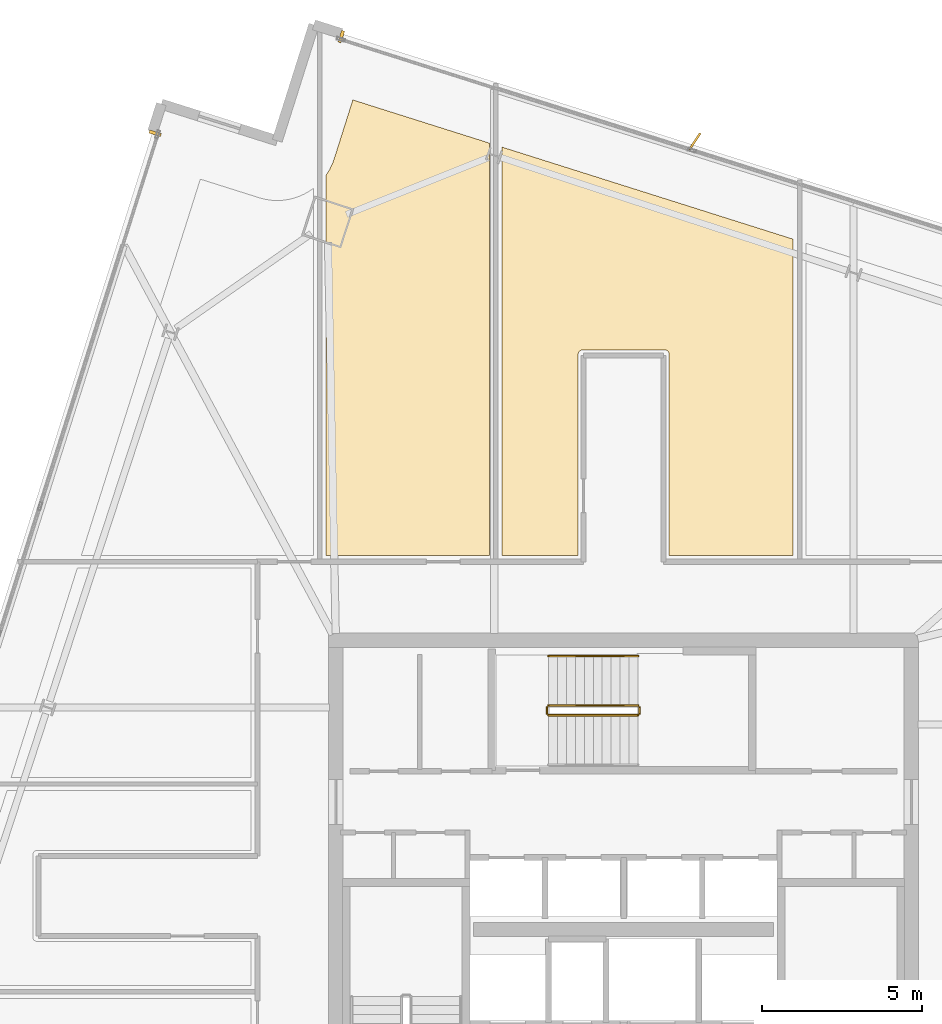
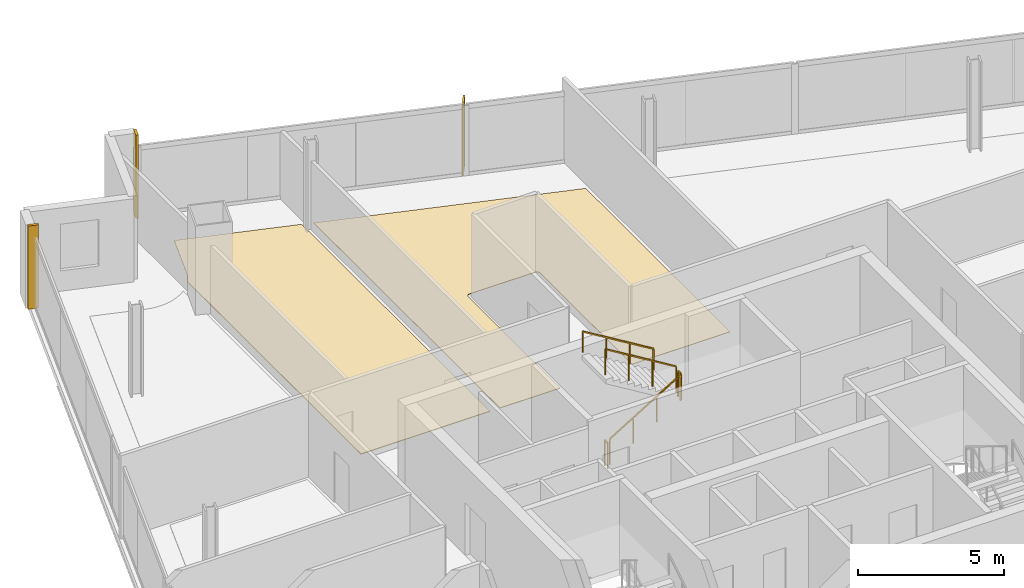
# One storey, part 25 of 26: 5 railings, 4 coverings, 1 shading device.
"""IFC4 building model written with IfcOpenShell, lengths in metres."""

import ifcopenshell
import ifcopenshell.guid

model = None  # the IFC model being written
_history = None  # IfcOwnerHistory: only IFC2X3 demands one
_inside = {}  # id of a spatial element -> (the spatial element, [elements in it])
_under = {}  # id of a project, library or spatial element -> (it, [spatial elements below it])
_declared = {}  # id of a project -> (the project, [libraries it declares])
_typed = {}  # id of a type object -> (the type object, [elements of that type])
_made_of = {}  # id of a material, layer set ... -> (it, [elements and type objects made of it])


def new_model(schema):
    """Start an empty IFC model of exactly this schema.

    Asked for "IFC4X3", IfcOpenShell would pick the latest addendum, in which some entities
    have other attributes; the version numbers below select the first issue.
    IFC2X3 requires an IfcOwnerHistory on every rooted entity: one is made here for all.
    """
    global model, _history
    if schema == "IFC4X3":
        model = ifcopenshell.file(schema_version=(4, 3, 0, 0))
    else:
        model = ifcopenshell.file(schema=schema)
    _inside.clear()
    _under.clear()
    _declared.clear()
    _typed.clear()
    _made_of.clear()
    _history = None
    if model.schema == "IFC2X3":
        org = make("IfcOrganization", Name="unknown")
        user = make(
            "IfcPersonAndOrganization",
            ThePerson=make("IfcPerson", FamilyName="unknown"),
            TheOrganization=org,
        )
        app = make(
            "IfcApplication",
            ApplicationDeveloper=org,
            Version="unknown",
            ApplicationFullName="unknown",
            ApplicationIdentifier="unknown",
        )
        _history = make(
            "IfcOwnerHistory",
            OwningUser=user,
            OwningApplication=app,
            ChangeAction="ADDED",
            CreationDate=0,
        )
    return model


def make(cls, **values):
    """One entity of the class cls with the attributes given. An attribute that is None is left unset."""
    return model.create_entity(
        cls, **{name: value for name, value in values.items() if value is not None}
    )


def rooted(cls, **values):
    """An entity with a GlobalId (a new one), such as an element, a storey or a relation."""
    return make(cls, GlobalId=ifcopenshell.guid.new(), OwnerHistory=_history, **values)


def si_unit(unit_type, name, prefix=None):
    """IfcSIUnit, for example si_unit("LENGTHUNIT", "METRE", prefix="MILLI")."""
    return make("IfcSIUnit", UnitType=unit_type, Prefix=prefix, Name=name)


def assignment(units):
    """IfcUnitAssignment: the units of a project."""
    return None if units is None else make("IfcUnitAssignment", Units=units)


def point(xyz):
    """IfcCartesianPoint."""
    return None if xyz is None else make("IfcCartesianPoint", Coordinates=xyz)


def direction(xyz):
    """IfcDirection."""
    return None if xyz is None else make("IfcDirection", DirectionRatios=xyz)


def frame(location, z_axis=None, x_axis=None):
    """IfcAxis2Placement3D, a coordinate frame: its origin and axes. An axis left out is left unset."""
    return make(
        "IfcAxis2Placement3D",
        Location=point(location),
        Axis=direction(z_axis),
        RefDirection=direction(x_axis),
    )


def frame_2d(location, x_axis=None):
    """IfcAxis2Placement2D, a coordinate frame in the plane: its origin and x axis."""
    return make(
        "IfcAxis2Placement2D", Location=point(location), RefDirection=direction(x_axis)
    )


def origin():
    """The frame at (0, 0, 0) with its axes left unset."""
    return frame((0.0, 0.0, 0.0))


def origin_2d():
    """The frame at (0, 0) in the plane with its x axis left unset."""
    return frame_2d((0.0, 0.0))


def place(relative_to, where):
    """IfcLocalPlacement: puts the frame where relative to a parent placement (None: the world)."""
    return make(
        "IfcLocalPlacement", PlacementRelTo=relative_to, RelativePlacement=where
    )


def context(
    kind, dimensions, precision=None, world=None, true_north=None, identifier=None
):
    """IfcGeometricRepresentationContext, for example the 3D "Model" context."""
    return make(
        "IfcGeometricRepresentationContext",
        ContextIdentifier=identifier,
        ContextType=kind,
        CoordinateSpaceDimension=dimensions,
        Precision=precision,
        WorldCoordinateSystem=world,
        TrueNorth=true_north,
    )


def subcontext(parent, identifier, kind, view, scale=None):
    """IfcGeometricRepresentationSubContext, for example "Body" below "Model"."""
    return make(
        "IfcGeometricRepresentationSubContext",
        ContextIdentifier=identifier,
        ContextType=kind,
        ParentContext=parent,
        TargetScale=scale,
        TargetView=view,
    )


def project(units=None, contexts=None):
    """IfcProject with its units and contexts."""
    return rooted(
        "IfcProject",
        Name="project",
        RepresentationContexts=contexts,
        UnitsInContext=assignment(units),
    )


def spatial(cls, under=None, at=None, **own):
    """A site, building, storey or space (cls), placed at a placement, below another one or the project."""
    s = rooted(cls, ObjectPlacement=at, **own)
    if under is not None:
        _under.setdefault(under.id(), (under, []))[1].append(s)
    return s


def polyline(points):
    """IfcPolyline through the points."""
    return make("IfcPolyline", Points=[point(p) for p in points])


def profile(cls, at=None, kind="AREA", **sizes):
    """A parametric profile (cls). Its sizes go by their IFC names, for example OverallWidth=200.0."""
    return make(cls, ProfileType=kind, Position=at, **sizes)


def rectangle(**sizes):
    """IfcRectangleProfileDef."""
    return profile("IfcRectangleProfileDef", **sizes)


def outline(outer, holes=None, kind="AREA"):
    """IfcArbitraryClosedProfileDef: a profile drawn as a closed curve; with holes, ...WithVoids."""
    if holes is None:
        return make("IfcArbitraryClosedProfileDef", ProfileType=kind, OuterCurve=outer)
    return make(
        "IfcArbitraryProfileDefWithVoids",
        ProfileType=kind,
        OuterCurve=outer,
        InnerCurves=holes,
    )


def extrude(swept, where, along, depth):
    """IfcExtrudedAreaSolid: the profile swept, set in the frame where, extruded along a direction by depth."""
    return make(
        "IfcExtrudedAreaSolid",
        SweptArea=swept,
        Position=where,
        ExtrudedDirection=direction(along),
        Depth=depth,
    )


def shape(context_of_items, identifier, shape_type, items):
    """IfcShapeRepresentation: the items that make up one representation, for example the "Body"."""
    return make(
        "IfcShapeRepresentation",
        ContextOfItems=context_of_items,
        RepresentationIdentifier=identifier,
        RepresentationType=shape_type,
        Items=items,
    )


def source(mapping_origin, context_of_items, identifier, shape_type, items):
    """IfcRepresentationMap: a shape defined once, which mapped items show again and again."""
    return make(
        "IfcRepresentationMap",
        MappingOrigin=mapping_origin,
        MappedRepresentation=shape(context_of_items, identifier, shape_type, items),
    )


def transform(
    local_origin,
    x_axis=None,
    y_axis=None,
    z_axis=None,
    scale=None,
    scale2=None,
    scale3=None,
    uniform=True,
):
    """IfcCartesianTransformationOperator3D, or its non-uniform kind. x_axis, y_axis, z_axis: its Axis1, 2, 3."""
    if uniform:
        return make(
            "IfcCartesianTransformationOperator3D",
            Axis1=direction(x_axis),
            Axis2=direction(y_axis),
            LocalOrigin=point(local_origin),
            Scale=scale,
            Axis3=direction(z_axis),
        )
    return make(
        "IfcCartesianTransformationOperator3DnonUniform",
        Axis1=direction(x_axis),
        Axis2=direction(y_axis),
        LocalOrigin=point(local_origin),
        Scale=scale,
        Axis3=direction(z_axis),
        Scale2=scale2,
        Scale3=scale3,
    )


def mapped(mapping_source, mapping_target):
    """IfcMappedItem: shows the shape of a source again, moved by a transform."""
    return make(
        "IfcMappedItem", MappingSource=mapping_source, MappingTarget=mapping_target
    )


def material(Name=None, Category=None):
    """IfcMaterial."""
    return make("IfcMaterial", Name=Name, Category=Category)


def layer(
    of_material, thickness, ventilated=None, Name=None, Category=None, Priority=None
):
    """IfcMaterialLayer: one layer of a wall or slab, of a material (None: an air gap)."""
    return make(
        "IfcMaterialLayer",
        Material=of_material,
        LayerThickness=thickness,
        IsVentilated=ventilated,
        Name=Name,
        Category=Category,
        Priority=Priority,
    )


def layer_set(layers, Name=None):
    """IfcMaterialLayerSet."""
    return make("IfcMaterialLayerSet", MaterialLayers=layers, LayerSetName=Name)


def made_of(thing, what):
    """Note that an element or type object is made of a material, layer set ...; save() writes the relation."""
    if what is not None:
        _made_of.setdefault(what.id(), (what, []))[1].append(thing)
    return thing


def type_object(cls, material=None, **own):
    """A type object (cls), such as IfcWallType, which elements share."""
    return made_of(rooted(cls, **own), material)


def element(
    cls,
    number,
    at=None,
    inside=None,
    cuts=None,
    type_object=None,
    material=None,
    context=None,
    identifier="Body",
    shape_type=None,
    held_by="IfcProductDefinitionShape",
    body=None,
    shapes=None,
    **own,
):
    """One element of the class cls, such as IfcWall. Its Tag is "e" and its number.

    at: its placement. inside: the storey or other place that contains it. cuts: it is an
    opening in that element (IfcRelVoidsElement). A single representation is given by context,
    identifier, shape_type and body (its items); several are given by shapes. held_by: the class
    of the entity that holds the representations. save() writes the other relations.
    """
    e = rooted(cls, Tag="e%d" % number, ObjectPlacement=at, **own)
    if body is not None:
        shapes = [shape(context, identifier, shape_type, body)]
    if shapes is not None:
        e.Representation = make(held_by, Representations=shapes)
    if inside is not None:
        _inside.setdefault(inside.id(), (inside, []))[1].append(e)
    if cuts is not None:
        rooted(
            "IfcRelVoidsElement", RelatingBuildingElement=cuts, RelatedOpeningElement=e
        )
    if type_object is not None:
        _typed.setdefault(type_object.id(), (type_object, []))[1].append(e)
    return made_of(e, material)


def aggregate(whole, parts):
    """IfcRelAggregates: a whole, such as a stair, and the parts it consists of."""
    return rooted("IfcRelAggregates", RelatingObject=whole, RelatedObjects=parts)


def save(model, path):
    """Write the relations noted so far, then the file.

    IfcRelAggregates (storeys below a building ...), IfcRelContainedInSpatialStructure (elements
    in a storey), IfcRelDefinesByType, IfcRelAssociatesMaterial and IfcRelDeclares: one each for
    every whole, place, type object, material and project.
    """
    for whole, parts in _under.values():
        aggregate(whole, parts)
    for where, things in _inside.values():
        rooted(
            "IfcRelContainedInSpatialStructure",
            RelatedElements=things,
            RelatingStructure=where,
        )
    for kind, things in _typed.values():
        rooted("IfcRelDefinesByType", RelatedObjects=things, RelatingType=kind)
    for what, things in _made_of.values():
        rooted("IfcRelAssociatesMaterial", RelatedObjects=things, RelatingMaterial=what)
    for by, libraries in _declared.values():
        rooted("IfcRelDeclares", RelatingContext=by, RelatedDefinitions=libraries)
    model.write(path)


model = new_model("IFC4")

# Units and contexts
model_context = context("Model", 3, precision=1e-05, world=origin(), true_north=direction((0.0, 1.0)))
body_context = subcontext(model_context, "Body", "Model", "MODEL_VIEW")
ifc_project = project(units=[si_unit("LENGTHUNIT", "METRE"), si_unit("AREAUNIT", "SQUARE_METRE"), si_unit("VOLUMEUNIT", "CUBIC_METRE"), si_unit("PLANEANGLEUNIT", "RADIAN"), si_unit("MASSUNIT", "GRAM", prefix="KILO")], contexts=[model_context])

# Site, building, storey
site_placement = place(None, origin())
site = spatial("IfcSite", under=ifc_project, at=site_placement, CompositionType="ELEMENT")
building_placement = place(site_placement, origin())
building = spatial("IfcBuilding", under=site, at=building_placement, Name="Haldenkirk Collegiate Tower", CompositionType="ELEMENT")
storey_placement = place(building_placement, frame((0.0, 0.0, 271.199951171875)))
storey = spatial("IfcBuildingStorey", under=building, at=storey_placement, Name="L68", CompositionType="ELEMENT", Elevation=271.199951171875)

# Coverings
ifc_material_1 = material(Name="Polished collegiate terrazzo", Category="concrete")
ifc_layer_1 = layer(ifc_material_1, 0.02490234375)
ifc_layer_set_1 = layer_set([ifc_layer_1], Name="Polished collegiate terrazzo")
covering_type_1 = type_object("IfcCoveringType", Name="COV-FLOOR-TERRAZZO", PredefinedType="FLOORING", material=ifc_layer_set_1)
covering_1_placement = place(storey_placement, origin())
element("IfcCovering", 1, at=covering_1_placement, inside=storey, type_object=covering_type_1, Name="L68 academic room finish 04", PredefinedType="FLOORING", context=body_context, shape_type="SweptSolid", body=[
    extrude(outline(polyline([(26.705810546875, 48.553955078125), (26.71240234375, 48.563720703125), (26.802490234375, 48.709716796875), (26.80810546875, 48.72021484375), (26.883544921875, 48.87451171875), (26.88818359375, 48.885498046875), (26.94775390625, 49.04638671875), (26.94970703125, 49.052001953125), (27.53173828125, 50.89208984375), (31.800048828125, 49.542236328125), (31.800048828125, 36.64990234375), (26.699951171875, 36.64990234375), (26.699951171875, 48.546142578125), (26.705810546875, 48.553955078125)])), origin(), (0.0, 0.0, 1.0), 0.025146484375),
])
ifc_material_2 = material(Name="Engineered collegiate oak acoustic flooring", Category="wood")
ifc_layer_2 = layer(ifc_material_2, 0.02197265625)
ifc_layer_set_2 = layer_set([ifc_layer_2], Name="Engineered collegiate oak acoustic flooring")
covering_type_2 = type_object("IfcCoveringType", Name="COV-FLOOR-TIMBER", PredefinedType="FLOORING", material=ifc_layer_set_2)
covering_2_placement = place(storey_placement, origin())
element("IfcCovering", 2, at=covering_2_placement, inside=storey, type_object=covering_type_2, Name="L68 academic room finish 05", PredefinedType="FLOORING", context=body_context, shape_type="SweptSolid", body=[
    extrude(outline(polyline([(41.300048828125, 46.537841796875), (41.300048828125, 36.64990234375), (37.419921875, 36.64990234375), (37.419921875, 42.949951171875), (37.41943359375, 42.9619140625), (37.417724609375, 42.973388671875), (37.414794921875, 42.98486328125), (37.410888671875, 42.995849609375), (37.40576171875, 43.006591796875), (37.39990234375, 43.0166015625), (37.392822265625, 43.026123046875), (37.385009765625, 43.034912109375), (37.376220703125, 43.042724609375), (37.36669921875, 43.0498046875), (37.356689453125, 43.055908203125), (37.345947265625, 43.060791015625), (37.334716796875, 43.064697265625), (37.323486328125, 43.067626953125), (37.311767578125, 43.0693359375), (37.300048828125, 43.070068359375), (34.699951171875, 43.070068359375), (34.688232421875, 43.0693359375), (34.676513671875, 43.067626953125), (34.665283203125, 43.064697265625), (34.654052734375, 43.060791015625), (34.643310546875, 43.055908203125), (34.63330078125, 43.0498046875), (34.623779296875, 43.042724609375), (34.614990234375, 43.034912109375), (34.607177734375, 43.026123046875), (34.60009765625, 43.0166015625), (34.59423828125, 43.006591796875), (34.589111328125, 42.995849609375), (34.585205078125, 42.98486328125), (34.582275390625, 42.973388671875), (34.58056640625, 42.9619140625), (34.580078125, 42.949951171875), (34.580078125, 36.64990234375), (32.199951171875, 36.64990234375), (32.199951171875, 49.415771484375), (41.300048828125, 46.537841796875)])), origin(), (0.0, 0.0, 1.0), 0.02197265625),
])

# Railings
ifc_material_3 = material(Name="Painted architectural tubular steel", Category="steel")
railing_type_1 = type_object("IfcRailingType", Name="RLG-STAIR-GUARD-1100", PredefinedType="BALUSTRADE", material=ifc_material_3)
railing_1_placement = place(storey_placement, frame((33.64990234375, 31.64990234375, 0.17041015625)))
element("IfcRailing", 3, at=railing_1_placement, inside=storey, type_object=railing_type_1, Name="L68 ST-3 stair guard 1", PredefinedType="BALUSTRADE", context=body_context, shape_type="SweptSolid", body=[
    extrude(rectangle(XDim=0.048095703125, YDim=0.048095703125, at=origin_2d()), frame((0.0, 0.0, 1.076171875), z_axis=(0.854169791009, 0.0, 0.51999420009), x_axis=(0.0, 1.0, 0.0)), (0.0, 0.0, 1.0), 3.278076171875),
    extrude(rectangle(XDim=0.0419921875, YDim=0.0419921875, at=origin_2d()), origin(), (0.0, 0.0, 1.0), 1.052001953125),
    extrude(rectangle(XDim=0.0419921875, YDim=0.0419921875, at=origin_2d()), frame((0.933349609375, 0.0, 0.568115234375)), (0.0, 0.0, 1.0), 1.052001953125),
    extrude(rectangle(XDim=0.0419921875, YDim=0.0419921875, at=origin_2d()), frame((1.86669921875, 0.0, 1.136474609375)), (0.0, 0.0, 1.0), 1.052001953125),
    extrude(rectangle(XDim=0.0419921875, YDim=0.0419921875, at=origin_2d()), frame((2.800048828125, 0.0, 1.70458984375)), (0.0, 0.0, 1.0), 1.052001953125),
])
railing_2_placement = place(storey_placement, frame((36.5, 31.699951171875, 1.875)))
element("IfcRailing", 4, at=railing_2_placement, inside=storey, type_object=railing_type_1, Name="L68 ST-3 stair guard 2", PredefinedType="BALUSTRADE", context=body_context, shape_type="SweptSolid", body=[
    extrude(rectangle(XDim=0.048095703125, YDim=0.048095703125, at=origin_2d()), frame((0.0, 0.0, 1.076171875), z_axis=(0.0, 1.0, 0.0), x_axis=(-1.0, 0.0, 0.0)), (0.0, 0.0, 1.0), 0.199951171875),
    extrude(rectangle(XDim=0.0419921875, YDim=0.0419921875, at=origin_2d()), origin(), (0.0, 0.0, 1.0), 1.052001953125),
    extrude(rectangle(XDim=0.0419921875, YDim=0.0419921875, at=origin_2d()), frame((0.0, 0.199951171875, 0.0)), (0.0, 0.0, 1.0), 1.052001953125),
])
railing_3_placement = place(storey_placement, frame((36.449951171875, 31.949951171875, 2.04541015625)))
element("IfcRailing", 5, at=railing_3_placement, inside=storey, type_object=railing_type_1, Name="L68 ST-3 stair guard 3", PredefinedType="BALUSTRADE", context=body_context, shape_type="SweptSolid", body=[
    extrude(rectangle(XDim=0.048095703125, YDim=0.048095703125, at=origin_2d()), frame((0.0, 0.0, 1.076171875), z_axis=(-0.854169791009, 0.0, 0.51999420009), x_axis=(0.0, -1.0, 0.0)), (0.0, 0.0, 1.0), 3.278076171875),
    extrude(rectangle(XDim=0.0419921875, YDim=0.0419921875, at=origin_2d()), origin(), (0.0, 0.0, 1.0), 1.052001953125),
    extrude(rectangle(XDim=0.0419921875, YDim=0.0419921875, at=origin_2d()), frame((-0.933349609375, 0.0, 0.568115234375)), (0.0, 0.0, 1.0), 1.052001953125),
    extrude(rectangle(XDim=0.0419921875, YDim=0.0419921875, at=origin_2d()), frame((-1.86669921875, 0.0, 1.136474609375)), (0.0, 0.0, 1.0), 1.052001953125),
    extrude(rectangle(XDim=0.0419921875, YDim=0.0419921875, at=origin_2d()), frame((-2.800048828125, 0.0, 1.70458984375)), (0.0, 0.0, 1.0), 1.052001953125),
])
railing_4_placement = place(storey_placement, frame((33.60009765625, 31.699951171875, 0.0)))
element("IfcRailing", 6, at=railing_4_placement, inside=storey, type_object=railing_type_1, Name="L68 ST-3 stair guard 4", PredefinedType="BALUSTRADE", context=body_context, shape_type="SweptSolid", body=[
    extrude(rectangle(XDim=0.048095703125, YDim=0.048095703125, at=origin_2d()), frame((0.0, 0.0, 1.076171875), z_axis=(0.0, 1.0, 0.0), x_axis=(-1.0, 0.0, 0.0)), (0.0, 0.0, 1.0), 0.199951171875),
    extrude(rectangle(XDim=0.0419921875, YDim=0.0419921875, at=origin_2d()), origin(), (0.0, 0.0, 1.0), 1.052001953125),
    extrude(rectangle(XDim=0.0419921875, YDim=0.0419921875, at=origin_2d()), frame((0.0, 0.199951171875, 0.0)), (0.0, 0.0, 1.0), 1.052001953125),
])
railing_type_2 = type_object("IfcRailingType", Name="RLG-STAIR-HANDRAIL-900", PredefinedType="HANDRAIL", material=ifc_material_3)
railing_5_placement = place(storey_placement, frame((36.449951171875, 33.5, 2.04541015625)))
element("IfcRailing", 7, at=railing_5_placement, inside=storey, type_object=railing_type_2, Name="L68 ST-3 stair handrail 2", PredefinedType="HANDRAIL", context=body_context, shape_type="SweptSolid", body=[
    extrude(rectangle(XDim=0.048095703125, YDim=0.048095703125, at=origin_2d()), frame((0.0, 0.0, 0.8759765625), z_axis=(-0.854169791009, 0.0, 0.51999420009), x_axis=(0.0, -1.0, 0.0)), (0.0, 0.0, 1.0), 3.278076171875),
    extrude(rectangle(XDim=0.0419921875, YDim=0.0419921875, at=origin_2d()), origin(), (0.0, 0.0, 1.0), 0.851806640625),
    extrude(rectangle(XDim=0.0419921875, YDim=0.0419921875, at=origin_2d()), frame((-0.933349609375, 0.0, 0.568115234375)), (0.0, 0.0, 1.0), 0.851806640625),
    extrude(rectangle(XDim=0.0419921875, YDim=0.0419921875, at=origin_2d()), frame((-1.86669921875, 0.0, 1.136474609375)), (0.0, 0.0, 1.0), 0.851806640625),
    extrude(rectangle(XDim=0.0419921875, YDim=0.0419921875, at=origin_2d()), frame((-2.800048828125, 0.0, 1.70458984375)), (0.0, 0.0, 1.0), 0.851806640625),
])

# Coverings
ifc_material_4 = material(Name="Anodised architectural bronze aluminium", Category="aluminium")
ifc_layer_3 = layer(ifc_material_4, 0.06005859375)
ifc_layer_set_3 = layer_set([ifc_layer_3], Name="Anodised architectural bronze aluminium")
covering_type_3 = type_object("IfcCoveringType", Name="COV-CLAD-BRONZE-60", PredefinedType="CLADDING", material=ifc_layer_set_3)
shared_shape_1 = source(origin(), body_context, "Body", "SweptSolid", [
    extrude(rectangle(XDim=0.10009765625, YDim=0.3798828125, at=origin_2d()), origin(), (0.0, 0.0, 1.0), 3.47998046875),
])
for number, where, z_axis, x_axis, name in (
    (8, (27.17236328125, 52.872802734375, 0.0), (0.0, 0.0, 1.0), (0.953454172319, -0.301537959944, 0.0), "L68 recessed curtain-wall bronze jamb closure EJL"),
    (9, (21.34912109375, 49.847900390625, 0.0), (0.0, 0.0, 1.0), (0.301537959944, 0.953454172319, 0.0), "L68 recessed curtain-wall bronze jamb closure NJR"),
):
    element("IfcCovering", number, at=place(storey_placement, frame(where, z_axis=z_axis, x_axis=x_axis)), inside=storey, type_object=covering_type_3, Name=name, PredefinedType="CLADDING", context=body_context, shape_type="MappedRepresentation", body=[
        mapped(shared_shape_1, transform((0.0, 0.0, 0.0), x_axis=(1.0, 0.0, 0.0), y_axis=(0.0, 1.0, 0.0), z_axis=(0.0, 0.0, 1.0), scale=1.0)),
    ])

# Shading device
ifc_layer_4 = layer(ifc_material_4, 0.06494140625)
ifc_layer_set_4 = layer_set([ifc_layer_4], Name="Anodised architectural bronze aluminium")
shading_device_type = type_object("IfcShadingDeviceType", Name="SHD-FIN-BRONZE-620", PredefinedType="USERDEFINED", material=ifc_layer_set_4)
shared_shape_2 = source(origin(), body_context, "Body", "SweptSolid", [
    extrude(rectangle(XDim=0.6201171875, YDim=0.06494140625, at=origin_2d()), origin(), (0.0, 0.0, 1.0), 2.93798828125),
])
shading_device_placement = place(storey_placement, frame((38.225830078125, 49.592041015625, 0.0), z_axis=(0.0, 0.0, 1.0), x_axis=(0.552664477717, 0.833403848725, 0.0)))
element("IfcShadingDevice", 10, at=shading_device_placement, inside=storey, type_object=shading_device_type, Name="L68 folded bronze solar fin 1", ObjectType="FIN", PredefinedType="USERDEFINED", context=body_context, shape_type="MappedRepresentation", body=[
    mapped(shared_shape_2, transform((0.0, 0.0, 0.0), x_axis=(1.0, 0.0, 0.0), y_axis=(0.0, 1.0, 0.0), z_axis=(0.0, 0.0, 1.0), scale=1.0)),
])

save(model, "model.ifc")
